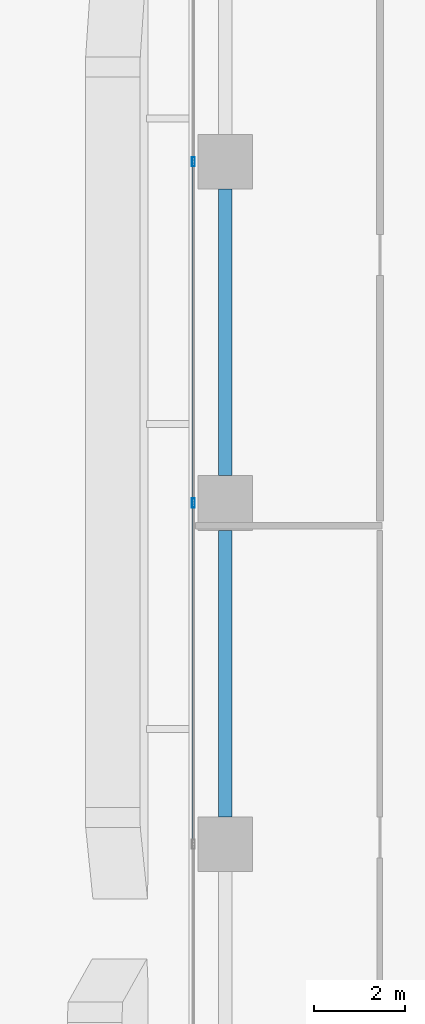
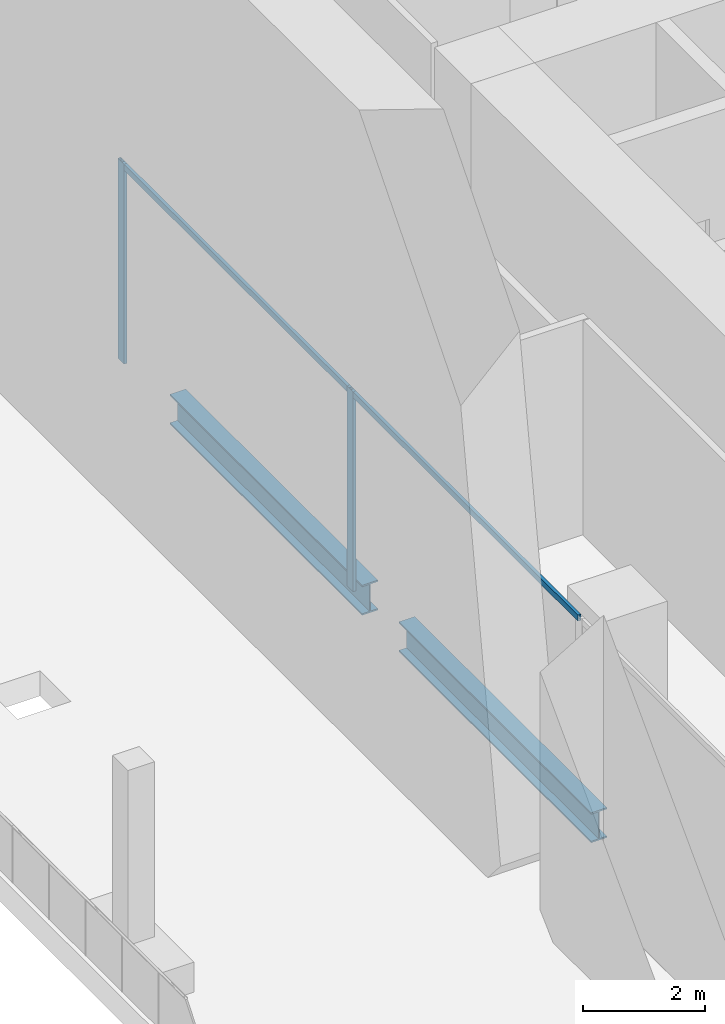
# One storey, part 14 of 46: 4 members, 2 beams, 1 element without a shape of its own.
"""IFC4 building model written with IfcOpenShell, lengths in metres."""

from ifc_helpers import new_model, si_unit, direction, frame, origin, origin_2d, place, context, subcontext, project, spatial, hollow_rectangle, i_section, extrude, source, transform, mapped, material, material_profile, profile_set, type_object, element, aggregate, save


model = new_model("IFC4")

# Units and contexts
model_context = context("Model", 3, precision=1e-05, world=origin(), true_north=direction((0.0, 1.0)))
body_context = subcontext(model_context, "Body", "Model", "MODEL_VIEW")
ifc_project = project(units=[si_unit("LENGTHUNIT", "METRE"), si_unit("AREAUNIT", "SQUARE_METRE"), si_unit("VOLUMEUNIT", "CUBIC_METRE"), si_unit("PLANEANGLEUNIT", "RADIAN"), si_unit("MASSUNIT", "GRAM", prefix="KILO")], contexts=[model_context])

# Site, building, storey
site_placement = place(None, origin())
site = spatial("IfcSite", under=ifc_project, at=site_placement, CompositionType="ELEMENT")
building_placement = place(site_placement, origin())
building = spatial("IfcBuilding", under=site, at=building_placement, Name="Khomas Fold Tower", CompositionType="ELEMENT")
storey_placement = place(building_placement, frame((0.0, 0.0, 33.0)))
storey = spatial("IfcBuildingStorey", under=building, at=storey_placement, Name="L06", CompositionType="ELEMENT", Elevation=33.0)

# Beams
ifc_material_1 = material(Name="Steel S355", Category="steel")
ifc_material_profile_1 = material_profile(ifc_material_1, i_section(OverallWidth=0.300048828125, OverallDepth=0.60009765625, WebThickness=0.015380859375, FlangeThickness=0.030029296875, at=origin_2d()), Name="HE 600 B")
ifc_profile_set_1 = profile_set([ifc_material_profile_1], Name="Steel S355")
beam_type = type_object("IfcBeamType", Name="HE 600 B spandrel SB1", PredefinedType="SPANDREL", material=ifc_profile_set_1)
shared_shape_1 = source(origin(), body_context, "Body", "SweptSolid", [
    extrude(i_section(OverallWidth=0.300048828125, OverallDepth=0.60009765625, WebThickness=0.015380859375, FlangeThickness=0.030029296875, at=origin_2d()), origin(), (0.0, 0.0, 1.0), 6.2998046875),
])
for number, where, z_axis, x_axis, name in (
    (1, (0.800048828125, 35.10009765625, -0.800048828125), (0.0, 1.0, 0.0), (-1.0, 0.0, 0.0), "SB1"),
    (2, (0.800048828125, 27.60009765625, -0.800048828125), (0.0, 1.0, 0.0), (-1.0, 0.0, 0.0), "SB1"),
):
    element("IfcBeam", number, at=place(storey_placement, frame(where, z_axis=z_axis, x_axis=x_axis)), inside=storey, type_object=beam_type, Name=name, PredefinedType="SPANDREL", context=body_context, shape_type="MappedRepresentation", body=[
        mapped(shared_shape_1, transform((0.0, 0.0, 0.0))),
    ])

# Curtain wall, members
ifc_material_2 = material(Name="Aluminium framed double glazing", Category="aluminium")
curtain_wall_type = type_object("IfcCurtainWallType", Name="SK-Unitised clear-glass wall, growing floors CW1", PredefinedType="NOTDEFINED", material=ifc_material_2)
curtain_wall_placement = place(storey_placement, origin())
curtain_wall = element("IfcCurtainWall", 3, at=curtain_wall_placement, inside=storey, type_object=curtain_wall_type, Name="CW1 run L06 09-0", PredefinedType="NOTDEFINED")
ifc_material_3 = material(Name="Aluminium", Category="aluminium")
ifc_material_profile_2 = material_profile(ifc_material_3, hollow_rectangle(XDim=0.06005859375, YDim=0.199951171875, WallThickness=0.00390625, at=origin_2d()), Name="SK-Unitised clear-glass wall, growing floors mullion CW1-M")
ifc_profile_set_2 = profile_set([ifc_material_profile_2], Name="Aluminium")
member_type_1 = type_object("IfcMemberType", Name="SK-Unitised clear-glass wall, growing floors mullion CW1-M", PredefinedType="MULLION", material=ifc_profile_set_2)
shared_shape_2 = source(origin(), body_context, "Body", "SweptSolid", [
    extrude(hollow_rectangle(XDim=0.06005859375, YDim=0.199951171875, WallThickness=0.00390625, at=origin_2d()), origin(), (0.0, 0.0, 1.0), 4.0),
])
member_1_placement = place(storey_placement, frame((0.10009765625, 42.0, 0.0), z_axis=(0.0, 0.0, 1.0), x_axis=(1.0, 0.0, 0.0)))
member_1 = element("IfcMember", 4, at=member_1_placement, type_object=member_type_1, Name="CW1 mullion 3", PredefinedType="MULLION", context=body_context, shape_type="MappedRepresentation", body=[
    mapped(shared_shape_2, transform((0.0, 0.0, 0.0))),
])
member_2_placement = place(storey_placement, frame((0.10009765625, 34.5, 0.0), z_axis=(0.0, 0.0, 1.0), x_axis=(1.0, 0.0, 0.0)))
member_2 = element("IfcMember", 5, at=member_2_placement, type_object=member_type_1, Name="CW1 mullion 4", PredefinedType="MULLION", context=body_context, shape_type="MappedRepresentation", body=[
    mapped(shared_shape_2, transform((0.0, 0.0, 0.0))),
])
ifc_material_4 = material(Name="Aluminium", Category="aluminium")
ifc_material_profile_3 = material_profile(ifc_material_4, hollow_rectangle(XDim=0.06005859375, YDim=0.1201171875, WallThickness=0.00390625, at=origin_2d()), Name="SK-Unitised clear-glass wall, growing floors transom CW1-T")
ifc_profile_set_3 = profile_set([ifc_material_profile_3], Name="Aluminium")
member_type_2 = type_object("IfcMemberType", Name="SK-Unitised clear-glass wall, growing floors transom CW1-T", PredefinedType="USERDEFINED", material=ifc_profile_set_3)
shared_shape_3 = source(origin(), body_context, "Body", "SweptSolid", [
    extrude(hollow_rectangle(XDim=0.06005859375, YDim=0.1201171875, WallThickness=0.00390625, at=origin_2d()), origin(), (0.0, 0.0, 1.0), 7.43994140625),
])
member_3_placement = place(storey_placement, frame((0.10009765625, 41.969970703125, 3.93994140625), z_axis=(0.0, -1.0, 0.0), x_axis=(1.0, 0.0, 0.0)))
member_3 = element("IfcMember", 6, at=member_3_placement, type_object=member_type_2, Name="CW1 transom 3", ObjectType="TRANSOM", PredefinedType="USERDEFINED", context=body_context, shape_type="MappedRepresentation", body=[
    mapped(shared_shape_3, transform((0.0, 0.0, 0.0))),
])
member_4_placement = place(storey_placement, frame((0.10009765625, 34.469970703125, 3.93994140625), z_axis=(0.0, -1.0, 0.0), x_axis=(1.0, 0.0, 0.0)))
member_4 = element("IfcMember", 7, at=member_4_placement, type_object=member_type_2, Name="CW1 transom 4", ObjectType="TRANSOM", PredefinedType="USERDEFINED", context=body_context, shape_type="MappedRepresentation", body=[
    mapped(shared_shape_3, transform((0.0, 0.0, 0.0))),
])
aggregate(curtain_wall, [member_1, member_2, member_3, member_4])

save(model, "model.ifc")
